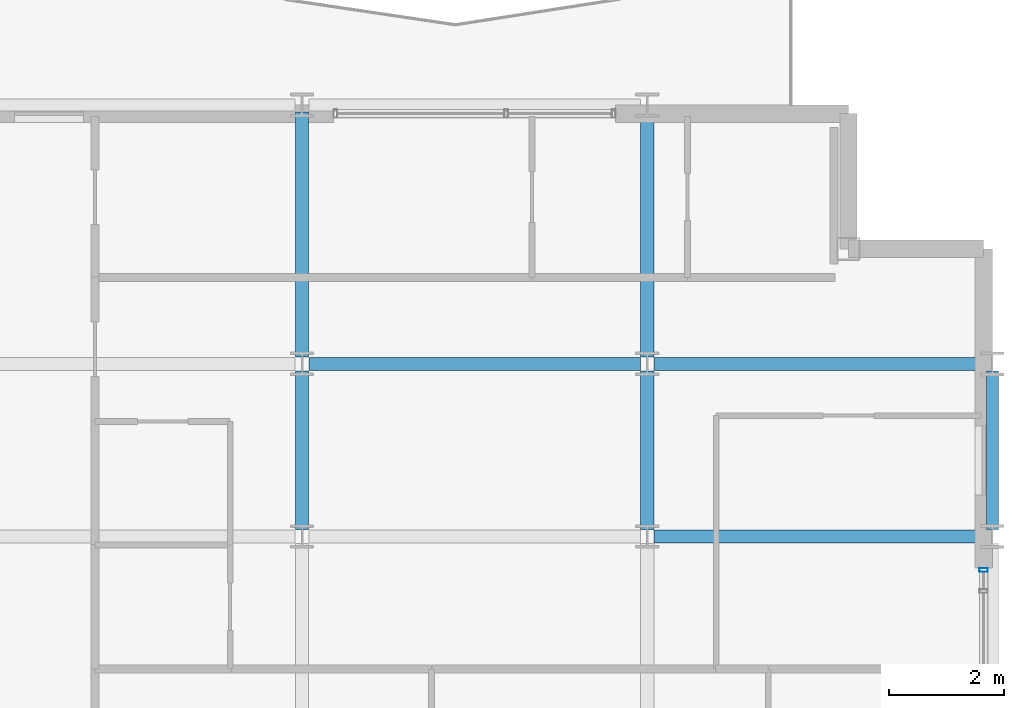
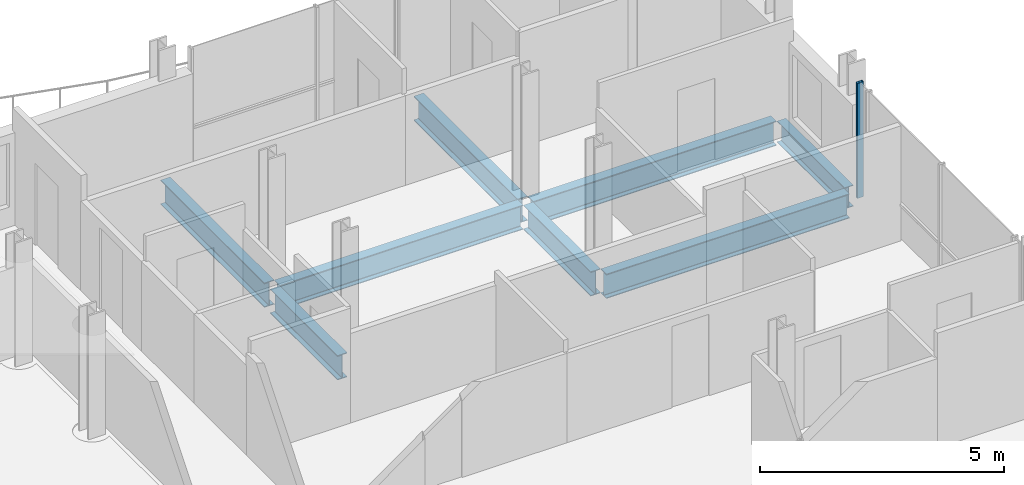
# One storey, part 22 of 41: 8 beams, 1 member, 1 element without a shape of its own.
"""IFC4 building model written with IfcOpenShell, lengths in metres."""

from ifc_helpers import new_model, si_unit, direction, frame, origin, origin_2d, place, context, subcontext, project, spatial, hollow_rectangle, i_section, extrude, material, layer, layer_set, material_profile, profile_set, type_object, element, aggregate, save


model = new_model("IFC4")

# Units and contexts
model_context = context("Model", 3, precision=1e-05, world=origin(), true_north=direction((0.0, 1.0)))
body_context = subcontext(model_context, "Body", "Model", "MODEL_VIEW")
ifc_project = project(units=[si_unit("LENGTHUNIT", "METRE"), si_unit("AREAUNIT", "SQUARE_METRE"), si_unit("VOLUMEUNIT", "CUBIC_METRE"), si_unit("PLANEANGLEUNIT", "RADIAN"), si_unit("MASSUNIT", "GRAM", prefix="KILO")], contexts=[model_context])

# Site, building, storey
site_placement = place(None, origin())
site = spatial("IfcSite", under=ifc_project, at=site_placement, CompositionType="ELEMENT")
building_placement = place(site_placement, origin())
building = spatial("IfcBuilding", under=site, at=building_placement, Name="Brevholm Reach", CompositionType="ELEMENT")
storey_placement = place(building_placement, frame((0.0, 0.0, 144.89990234375)))
storey = spatial("IfcBuildingStorey", under=building, at=storey_placement, Name="L43", CompositionType="ELEMENT", Elevation=144.89990234375)

# Beams
ifc_material_1 = material(Name="Structural Steel S355J2", Category="steel")
ifc_material_profile_1 = material_profile(ifc_material_1, i_section(OverallWidth=0.209228515625, OverallDepth=0.533203125, WebThickness=0.010009765625, FlangeThickness=0.015625, FilletRadius=0.0126953125, at=origin_2d()), Name="UKB 533x210x92")
ifc_profile_set_1 = profile_set([ifc_material_profile_1], Name="Structural Steel S355J2")
beam_type_1 = type_object("IfcBeamType", Name="BM-SP533", PredefinedType="SPANDREL", material=ifc_profile_set_1)
beam_1_placement = place(storey_placement, frame((60.0, 23.6201171875, -0.486572265625), z_axis=(0.0, 1.0, 0.0), x_axis=(-1.0, 0.0, 0.0)))
element("IfcBeam", 1, at=beam_1_placement, inside=storey, type_object=beam_type_1, Name="L43 SP-02 Framing Beam", PredefinedType="SPANDREL", context=body_context, shape_type="SweptSolid", body=[
    extrude(i_section(OverallWidth=0.209228515625, OverallDepth=0.533203125, WebThickness=0.010009765625, FlangeThickness=0.015625, FilletRadius=0.0126953125, at=origin_2d()), origin(), (0.0, 0.0, 1.0), 2.759765625),
])
ifc_material_2 = material(Name="Structural Steel S355J2", Category="steel")
ifc_material_profile_2 = material_profile(ifc_material_2, i_section(OverallWidth=0.22900390625, OverallDepth=0.6123046875, WebThickness=0.011962890625, FlangeThickness=0.01953125, FilletRadius=0.0126953125, at=origin_2d()), Name="UKB 610x229x125")
ifc_profile_set_2 = profile_set([ifc_material_profile_2], Name="Structural Steel S355J2")
beam_type_2 = type_object("IfcBeamType", Name="BM-SP610", PredefinedType="SPANDREL", material=ifc_profile_set_2)
for number, where, z_axis, x_axis, name in (
    (2, (54.1201171875, 23.5, -0.526123046875), (1.0, 0.0, 0.0), (0.0, 1.0, 0.0), "L43 SP-01 Framing Beam"),
    (3, (48.1201171875, 26.5, -0.526123046875), (1.0, 0.0, 0.0), (0.0, 1.0, 0.0), "L43 SP-01 Framing Beam"),
    (4, (54.1201171875, 26.5, -0.526123046875), (1.0, 0.0, 0.0), (0.0, 1.0, 0.0), "L43 SP-01 Framing Beam"),
):
    element("IfcBeam", number, at=place(storey_placement, frame(where, z_axis=z_axis, x_axis=x_axis)), inside=storey, type_object=beam_type_2, Name=name, PredefinedType="SPANDREL", context=body_context, shape_type="SweptSolid", body=[
        extrude(i_section(OverallWidth=0.22900390625, OverallDepth=0.6123046875, WebThickness=0.011962890625, FlangeThickness=0.01953125, FilletRadius=0.0126953125, at=origin_2d()), origin(), (0.0, 0.0, 1.0), 5.759765625),
    ])
beam_2_placement = place(storey_placement, frame((48.0, 23.6201171875, -0.526123046875), z_axis=(0.0, 1.0, 0.0), x_axis=(-1.0, 0.0, 0.0)))
element("IfcBeam", 5, at=beam_2_placement, inside=storey, type_object=beam_type_2, Name="L43 SP-01 Framing Beam", PredefinedType="SPANDREL", context=body_context, shape_type="SweptSolid", body=[
    extrude(i_section(OverallWidth=0.22900390625, OverallDepth=0.6123046875, WebThickness=0.011962890625, FlangeThickness=0.01953125, FilletRadius=0.0126953125, at=origin_2d()), origin(), (0.0, 0.0, 1.0), 2.759765625),
])
beam_3_placement = place(storey_placement, frame((48.0, 26.6201171875, -0.526123046875), z_axis=(0.0, 1.0, 0.0), x_axis=(-1.0, 0.0, 0.0)))
element("IfcBeam", 6, at=beam_3_placement, inside=storey, type_object=beam_type_2, Name="L43 SP-01 Framing Beam", PredefinedType="SPANDREL", context=body_context, shape_type="SweptSolid", body=[
    extrude(i_section(OverallWidth=0.22900390625, OverallDepth=0.6123046875, WebThickness=0.011962890625, FlangeThickness=0.01953125, FilletRadius=0.0126953125, at=origin_2d()), origin(), (0.0, 0.0, 1.0), 4.259765625),
])
beam_4_placement = place(storey_placement, frame((54.0, 23.6201171875, -0.526123046875), z_axis=(0.0, 1.0, 0.0), x_axis=(-1.0, 0.0, 0.0)))
element("IfcBeam", 7, at=beam_4_placement, inside=storey, type_object=beam_type_2, Name="L43 SP-01 Framing Beam", PredefinedType="SPANDREL", context=body_context, shape_type="SweptSolid", body=[
    extrude(i_section(OverallWidth=0.22900390625, OverallDepth=0.6123046875, WebThickness=0.011962890625, FlangeThickness=0.01953125, FilletRadius=0.0126953125, at=origin_2d()), origin(), (0.0, 0.0, 1.0), 2.759765625),
])
beam_5_placement = place(storey_placement, frame((54.0, 26.6201171875, -0.526123046875), z_axis=(0.0, 1.0, 0.0), x_axis=(-1.0, 0.0, 0.0)))
element("IfcBeam", 8, at=beam_5_placement, inside=storey, type_object=beam_type_2, Name="L43 SP-01 Framing Beam", PredefinedType="SPANDREL", context=body_context, shape_type="SweptSolid", body=[
    extrude(i_section(OverallWidth=0.22900390625, OverallDepth=0.6123046875, WebThickness=0.011962890625, FlangeThickness=0.01953125, FilletRadius=0.0126953125, at=origin_2d()), origin(), (0.0, 0.0, 1.0), 4.259765625),
])

# Curtain wall, member
ifc_material_3 = material(Name="Dark Anodised Aluminium 6063-T6 and Solar-Control Glass", Category="aluminium")
ifc_layer = layer(ifc_material_3, 0.14990234375)
ifc_layer_set = layer_set([ifc_layer], Name="Dark Anodised Aluminium 6063-T6 and Solar-Control Glass")
curtain_wall_type = type_object("IfcCurtainWallType", Name="CW-01", PredefinedType="NOTDEFINED", material=ifc_layer_set)
curtain_wall_placement = place(storey_placement, origin())
curtain_wall = element("IfcCurtainWall", 9, at=curtain_wall_placement, inside=storey, type_object=curtain_wall_type, Name="L43 Curtain Wall CW-01", PredefinedType="NOTDEFINED")
ifc_material_4 = material(Name="Dark Anodised Aluminium 6063-T6", Category="aluminium")
ifc_material_profile_3 = material_profile(ifc_material_4, hollow_rectangle(XDim=0.06494140625, YDim=0.14990234375, WallThickness=0.0048828125, InnerFilletRadius=0.0048828125, OuterFilletRadius=0.010009765625, at=origin_2d()), Name="RHS 150x65x5")
ifc_profile_set_3 = profile_set([ifc_material_profile_3], Name="Dark Anodised Aluminium 6063-T6")
member_type = type_object("IfcMemberType", Name="CWM-150", PredefinedType="MULLION", material=ifc_profile_set_3)
member_placement = place(storey_placement, frame((59.85009765625, 22.91748046875, 0.0), z_axis=(0.0, 0.0, 1.0), x_axis=(0.0, 1.0, 0.0)))
member = element("IfcMember", 10, at=member_placement, type_object=member_type, Name="CM-150 Mullion 6", PredefinedType="MULLION", context=body_context, shape_type="SweptSolid", body=[
    extrude(hollow_rectangle(XDim=0.06494140625, YDim=0.14990234375, WallThickness=0.0048828125, InnerFilletRadius=0.0048828125, OuterFilletRadius=0.010009765625, at=origin_2d()), origin(), (0.0, 0.0, 1.0), 2.880126953125),
])
aggregate(curtain_wall, [member])

save(model, "model.ifc")
